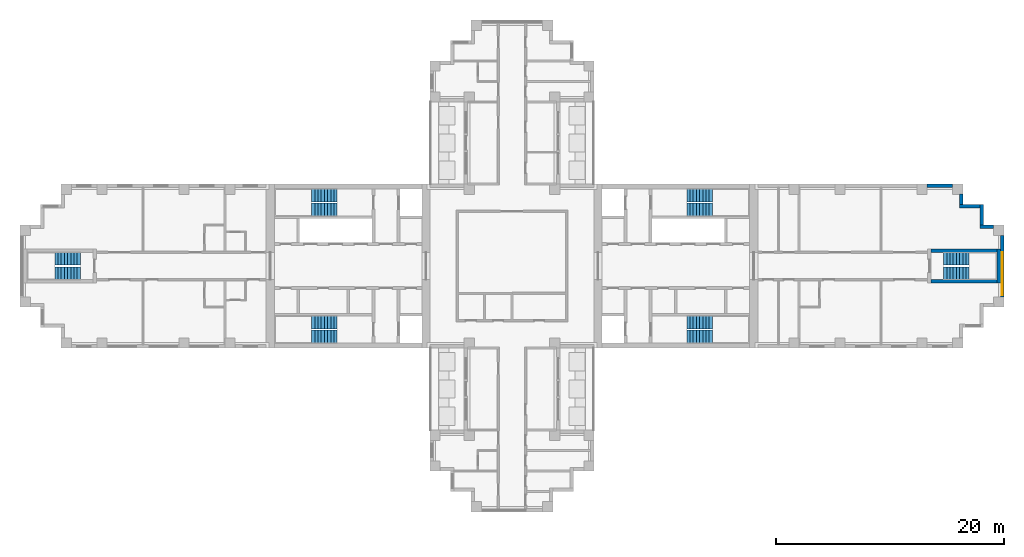
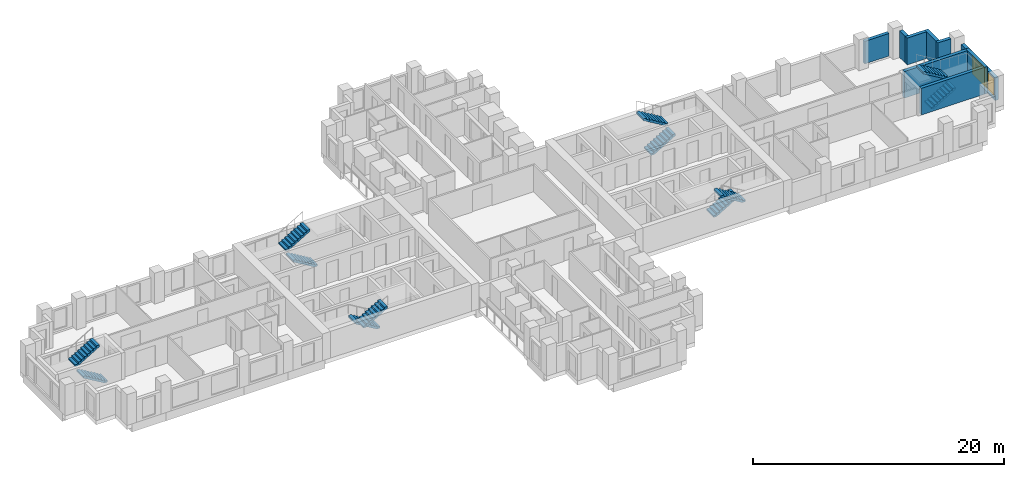
# One storey, part 9 of 11: 12 stair flights, 9 walls, 2 windows, 2 openings, 6 elements without a shape of their own.
"""IFC4 building model written with IfcOpenShell, lengths in metres."""

import ifcopenshell
import ifcopenshell.guid

model = None  # the IFC model being written
_history = None  # IfcOwnerHistory: only IFC2X3 demands one
_inside = {}  # id of a spatial element -> (the spatial element, [elements in it])
_under = {}  # id of a project, library or spatial element -> (it, [spatial elements below it])
_declared = {}  # id of a project -> (the project, [libraries it declares])
_typed = {}  # id of a type object -> (the type object, [elements of that type])
_made_of = {}  # id of a material, layer set ... -> (it, [elements and type objects made of it])


def new_model(schema):
    """Start an empty IFC model of exactly this schema.

    Asked for "IFC4X3", IfcOpenShell would pick the latest addendum, in which some entities
    have other attributes; the version numbers below select the first issue.
    IFC2X3 requires an IfcOwnerHistory on every rooted entity: one is made here for all.
    """
    global model, _history
    if schema == "IFC4X3":
        model = ifcopenshell.file(schema_version=(4, 3, 0, 0))
    else:
        model = ifcopenshell.file(schema=schema)
    _inside.clear()
    _under.clear()
    _declared.clear()
    _typed.clear()
    _made_of.clear()
    _history = None
    if model.schema == "IFC2X3":
        org = make("IfcOrganization", Name="unknown")
        user = make(
            "IfcPersonAndOrganization",
            ThePerson=make("IfcPerson", FamilyName="unknown"),
            TheOrganization=org,
        )
        app = make(
            "IfcApplication",
            ApplicationDeveloper=org,
            Version="unknown",
            ApplicationFullName="unknown",
            ApplicationIdentifier="unknown",
        )
        _history = make(
            "IfcOwnerHistory",
            OwningUser=user,
            OwningApplication=app,
            ChangeAction="ADDED",
            CreationDate=0,
        )
    return model


def make(cls, **values):
    """One entity of the class cls with the attributes given. An attribute that is None is left unset."""
    return model.create_entity(
        cls, **{name: value for name, value in values.items() if value is not None}
    )


def rooted(cls, **values):
    """An entity with a GlobalId (a new one), such as an element, a storey or a relation."""
    return make(cls, GlobalId=ifcopenshell.guid.new(), OwnerHistory=_history, **values)


def si_unit(unit_type, name, prefix=None):
    """IfcSIUnit, for example si_unit("LENGTHUNIT", "METRE", prefix="MILLI")."""
    return make("IfcSIUnit", UnitType=unit_type, Prefix=prefix, Name=name)


def assignment(units):
    """IfcUnitAssignment: the units of a project."""
    return None if units is None else make("IfcUnitAssignment", Units=units)


def point(xyz):
    """IfcCartesianPoint."""
    return None if xyz is None else make("IfcCartesianPoint", Coordinates=xyz)


def direction(xyz):
    """IfcDirection."""
    return None if xyz is None else make("IfcDirection", DirectionRatios=xyz)


def frame(location, z_axis=None, x_axis=None):
    """IfcAxis2Placement3D, a coordinate frame: its origin and axes. An axis left out is left unset."""
    return make(
        "IfcAxis2Placement3D",
        Location=point(location),
        Axis=direction(z_axis),
        RefDirection=direction(x_axis),
    )


def frame_2d(location, x_axis=None):
    """IfcAxis2Placement2D, a coordinate frame in the plane: its origin and x axis."""
    return make(
        "IfcAxis2Placement2D", Location=point(location), RefDirection=direction(x_axis)
    )


def origin():
    """The frame at (0, 0, 0) with its axes left unset."""
    return frame((0.0, 0.0, 0.0))


def place(relative_to, where):
    """IfcLocalPlacement: puts the frame where relative to a parent placement (None: the world)."""
    return make(
        "IfcLocalPlacement", PlacementRelTo=relative_to, RelativePlacement=where
    )


def context(
    kind, dimensions, precision=None, world=None, true_north=None, identifier=None
):
    """IfcGeometricRepresentationContext, for example the 3D "Model" context."""
    return make(
        "IfcGeometricRepresentationContext",
        ContextIdentifier=identifier,
        ContextType=kind,
        CoordinateSpaceDimension=dimensions,
        Precision=precision,
        WorldCoordinateSystem=world,
        TrueNorth=true_north,
    )


def subcontext(parent, identifier, kind, view, scale=None):
    """IfcGeometricRepresentationSubContext, for example "Body" below "Model"."""
    return make(
        "IfcGeometricRepresentationSubContext",
        ContextIdentifier=identifier,
        ContextType=kind,
        ParentContext=parent,
        TargetScale=scale,
        TargetView=view,
    )


def project(units=None, contexts=None):
    """IfcProject with its units and contexts."""
    return rooted(
        "IfcProject",
        Name="project",
        RepresentationContexts=contexts,
        UnitsInContext=assignment(units),
    )


def spatial(cls, under=None, at=None, **own):
    """A site, building, storey or space (cls), placed at a placement, below another one or the project."""
    s = rooted(cls, ObjectPlacement=at, **own)
    if under is not None:
        _under.setdefault(under.id(), (under, []))[1].append(s)
    return s


def polyline(points):
    """IfcPolyline through the points."""
    return make("IfcPolyline", Points=[point(p) for p in points])


def profile(cls, at=None, kind="AREA", **sizes):
    """A parametric profile (cls). Its sizes go by their IFC names, for example OverallWidth=200.0."""
    return make(cls, ProfileType=kind, Position=at, **sizes)


def rectangle(**sizes):
    """IfcRectangleProfileDef."""
    return profile("IfcRectangleProfileDef", **sizes)


def outline(outer, holes=None, kind="AREA"):
    """IfcArbitraryClosedProfileDef: a profile drawn as a closed curve; with holes, ...WithVoids."""
    if holes is None:
        return make("IfcArbitraryClosedProfileDef", ProfileType=kind, OuterCurve=outer)
    return make(
        "IfcArbitraryProfileDefWithVoids",
        ProfileType=kind,
        OuterCurve=outer,
        InnerCurves=holes,
    )


def extrude(swept, where, along, depth):
    """IfcExtrudedAreaSolid: the profile swept, set in the frame where, extruded along a direction by depth."""
    return make(
        "IfcExtrudedAreaSolid",
        SweptArea=swept,
        Position=where,
        ExtrudedDirection=direction(along),
        Depth=depth,
    )


def shape(context_of_items, identifier, shape_type, items):
    """IfcShapeRepresentation: the items that make up one representation, for example the "Body"."""
    return make(
        "IfcShapeRepresentation",
        ContextOfItems=context_of_items,
        RepresentationIdentifier=identifier,
        RepresentationType=shape_type,
        Items=items,
    )


def material(Name=None, Category=None):
    """IfcMaterial."""
    return make("IfcMaterial", Name=Name, Category=Category)


def layer(
    of_material, thickness, ventilated=None, Name=None, Category=None, Priority=None
):
    """IfcMaterialLayer: one layer of a wall or slab, of a material (None: an air gap)."""
    return make(
        "IfcMaterialLayer",
        Material=of_material,
        LayerThickness=thickness,
        IsVentilated=ventilated,
        Name=Name,
        Category=Category,
        Priority=Priority,
    )


def layer_set(layers, Name=None):
    """IfcMaterialLayerSet."""
    return make("IfcMaterialLayerSet", MaterialLayers=layers, LayerSetName=Name)


def made_of(thing, what):
    """Note that an element or type object is made of a material, layer set ...; save() writes the relation."""
    if what is not None:
        _made_of.setdefault(what.id(), (what, []))[1].append(thing)
    return thing


def type_object(cls, material=None, **own):
    """A type object (cls), such as IfcWallType, which elements share."""
    return made_of(rooted(cls, **own), material)


def element(
    cls,
    number,
    at=None,
    inside=None,
    cuts=None,
    type_object=None,
    material=None,
    context=None,
    identifier="Body",
    shape_type=None,
    held_by="IfcProductDefinitionShape",
    body=None,
    shapes=None,
    **own,
):
    """One element of the class cls, such as IfcWall. Its Tag is "e" and its number.

    at: its placement. inside: the storey or other place that contains it. cuts: it is an
    opening in that element (IfcRelVoidsElement). A single representation is given by context,
    identifier, shape_type and body (its items); several are given by shapes. held_by: the class
    of the entity that holds the representations. save() writes the other relations.
    """
    e = rooted(cls, Tag="e%d" % number, ObjectPlacement=at, **own)
    if body is not None:
        shapes = [shape(context, identifier, shape_type, body)]
    if shapes is not None:
        e.Representation = make(held_by, Representations=shapes)
    if inside is not None:
        _inside.setdefault(inside.id(), (inside, []))[1].append(e)
    if cuts is not None:
        rooted(
            "IfcRelVoidsElement", RelatingBuildingElement=cuts, RelatedOpeningElement=e
        )
    if type_object is not None:
        _typed.setdefault(type_object.id(), (type_object, []))[1].append(e)
    return made_of(e, material)


def fill(opening, filler):
    """IfcRelFillsElement: the door or window that sits in an opening."""
    return rooted(
        "IfcRelFillsElement",
        RelatingOpeningElement=opening,
        RelatedBuildingElement=filler,
    )


def aggregate(whole, parts):
    """IfcRelAggregates: a whole, such as a stair, and the parts it consists of."""
    return rooted("IfcRelAggregates", RelatingObject=whole, RelatedObjects=parts)


def save(model, path):
    """Write the relations noted so far, then the file.

    IfcRelAggregates (storeys below a building ...), IfcRelContainedInSpatialStructure (elements
    in a storey), IfcRelDefinesByType, IfcRelAssociatesMaterial and IfcRelDeclares: one each for
    every whole, place, type object, material and project.
    """
    for whole, parts in _under.values():
        aggregate(whole, parts)
    for where, things in _inside.values():
        rooted(
            "IfcRelContainedInSpatialStructure",
            RelatedElements=things,
            RelatingStructure=where,
        )
    for kind, things in _typed.values():
        rooted("IfcRelDefinesByType", RelatedObjects=things, RelatingType=kind)
    for what, things in _made_of.values():
        rooted("IfcRelAssociatesMaterial", RelatedObjects=things, RelatingMaterial=what)
    for by, libraries in _declared.values():
        rooted("IfcRelDeclares", RelatingContext=by, RelatedDefinitions=libraries)
    model.write(path)


model = new_model("IFC4")

# Units and contexts
model_context = context("Model", 3, precision=1e-05, world=origin(), true_north=direction((0.0, 1.0)))
body_context = subcontext(model_context, "Body", "Model", "MODEL_VIEW")
ifc_project = project(units=[si_unit("LENGTHUNIT", "METRE"), si_unit("AREAUNIT", "SQUARE_METRE"), si_unit("VOLUMEUNIT", "CUBIC_METRE"), si_unit("PLANEANGLEUNIT", "RADIAN"), si_unit("MASSUNIT", "GRAM", prefix="KILO")], contexts=[model_context])

# Site, building, storey
site_placement = place(None, origin())
site = spatial("IfcSite", under=ifc_project, at=site_placement, CompositionType="ELEMENT")
building_placement = place(site_placement, origin())
building = spatial("IfcBuilding", under=site, at=building_placement, Name="Fustian Cross Tower", CompositionType="ELEMENT")
storey_placement = place(building_placement, frame((0.0, 0.0, 126.300048828125)))
storey = spatial("IfcBuildingStorey", under=building, at=storey_placement, Name="L39", CompositionType="ELEMENT", Elevation=126.300048828125)

# Walls
ifc_material_1 = material(Name="Concrete C50/60", Category="concrete")
ifc_layer_1 = layer(ifc_material_1, 0.300048828125)
ifc_layer_set_1 = layer_set([ifc_layer_1], Name="Concrete C50/60")
wall_type_1 = type_object("IfcWallType", Name="STAIR ENCLOSURE WALL 300 C50/60", PredefinedType="SHEAR", material=ifc_layer_set_1)
wall_1_placement = place(storey_placement, frame((42.75, -1.5, 0.0), z_axis=(0.0, 0.0, 1.0), x_axis=(0.0, 1.0, 0.0)))
element("IfcWall", 1, at=wall_1_placement, inside=storey, type_object=wall_type_1, Name="Stair enclosure wall", PredefinedType="SHEAR", context=body_context, shape_type="SweptSolid", body=[
    extrude(rectangle(XDim=3.0, YDim=0.300048828125, at=frame_2d((1.5, 0.0))), origin(), (0.0, 0.0, 1.0), 2.599853515625),
])
for number, where, z_axis, x_axis, name in (
    (2, (36.800048828125, -1.35009765625, 0.0), (0.0, 0.0, 1.0), (1.0, 0.0, 0.0), "Stair enclosure wall"),
    (3, (36.800048828125, 1.35009765625, 0.0), (0.0, 0.0, 1.0), (1.0, 0.0, 0.0), "Stair enclosure wall"),
):
    element("IfcWall", number, at=place(storey_placement, frame(where, z_axis=z_axis, x_axis=x_axis)), inside=storey, type_object=wall_type_1, Name=name, PredefinedType="SHEAR", context=body_context, shape_type="SweptSolid", body=[
        extrude(rectangle(XDim=5.800048828125, YDim=0.300048828125, at=frame_2d((2.89990234375, 0.0))), origin(), (0.0, 0.0, 1.0), 2.599853515625),
    ])

# Wall, openings, windows
ifc_material_2 = material(Name="Dark aluminium cladding on insulated backing wall", Category="aluminium")
ifc_layer_2 = layer(ifc_material_2, 0.300048828125)
ifc_layer_set_2 = layer_set([ifc_layer_2], Name="Dark aluminium cladding on insulated backing wall")
wall_type_2 = type_object("IfcWallType", Name="XW1 EXTERNAL WALL 300", PredefinedType="SOLIDWALL", material=ifc_layer_set_2)
wall_2_placement = place(storey_placement, frame((43.050048828125, -2.699951171875, 0.0), z_axis=(0.0, 0.0, 1.0), x_axis=(0.0, 1.0, 0.0)))
wall_2 = element("IfcWall", 4, at=wall_2_placement, inside=storey, type_object=wall_type_2, Name="External wall", PredefinedType="SOLIDWALL", context=body_context, shape_type="SweptSolid", body=[
    extrude(rectangle(XDim=5.39990234375, YDim=0.300048828125, at=frame_2d((2.699951171875, 0.0))), origin(), (0.0, 0.0, 1.0), 2.199951171875),
])
opening_1_placement = place(wall_2_placement, frame((1.5, 0.0, 0.199951171875)))
opening_1 = element("IfcOpeningElement", 5, at=opening_1_placement, cuts=wall_2, Name="Opening WN1", PredefinedType="OPENING", context=body_context, shape_type="SweptSolid", body=[
    extrude(rectangle(XDim=2.39990234375, YDim=1.85009765625, at=frame_2d((1.199951171875, 0.925048828125))), frame((0.0, 0.159912109375, 0.0), z_axis=(0.0, -1.0, 0.0), x_axis=(1.0, 0.0, 0.0)), (0.0, 0.0, 1.0), 0.320068359375),
])
opening_2_placement = place(wall_2_placement, frame((0.14990234375, 0.0, 0.199951171875)))
opening_2 = element("IfcOpeningElement", 6, at=opening_2_placement, cuts=wall_2, Name="Opening WN3", PredefinedType="OPENING", context=body_context, shape_type="SweptSolid", body=[
    extrude(rectangle(XDim=1.199951171875, YDim=1.85009765625, at=frame_2d((0.60009765625, 0.925048828125))), frame((0.0, 0.159912109375, 0.0), z_axis=(0.0, -1.0, 0.0), x_axis=(1.0, 0.0, 0.0)), (0.0, 0.0, 1.0), 0.320068359375),
])
ifc_material_3 = material(Name="Dark anodised aluminium and double glazing", Category="aluminium")
window_type_1 = type_object("IfcWindowType", Name="WN1 WINDOW 2400X1850", PartitioningType="SINGLE_PANEL", PredefinedType="WINDOW", material=ifc_material_3)
window_1_placement = place(opening_1_placement, origin())
window_1 = element("IfcWindow", 7, at=window_1_placement, inside=storey, type_object=window_type_1, Name="Window", OverallHeight=1.85009765625, OverallWidth=2.39990234375, PartitioningType="SINGLE_PANEL", PredefinedType="WINDOW", context=body_context, shape_type="SweptSolid", body=[
    extrude(rectangle(XDim=2.39990234375, YDim=1.85009765625, at=frame_2d((1.199951171875, 0.925048828125))), frame((0.0, 0.030029296875, 0.0), z_axis=(0.0, -1.0, 0.0), x_axis=(1.0, 0.0, 0.0)), (0.0, 0.0, 1.0), 0.06005859375),
])
fill(opening_1, window_1)
ifc_material_4 = material(Name="Dark anodised aluminium and double glazing", Category="aluminium")
window_type_2 = type_object("IfcWindowType", Name="WN3 WINDOW 1200X1850", PartitioningType="SINGLE_PANEL", PredefinedType="WINDOW", material=ifc_material_4)
window_2_placement = place(opening_2_placement, origin())
window_2 = element("IfcWindow", 8, at=window_2_placement, inside=storey, type_object=window_type_2, Name="Window", OverallHeight=1.85009765625, OverallWidth=1.199951171875, PartitioningType="SINGLE_PANEL", PredefinedType="WINDOW", context=body_context, shape_type="SweptSolid", body=[
    extrude(rectangle(XDim=1.199951171875, YDim=1.85009765625, at=frame_2d((0.60009765625, 0.925048828125))), frame((0.0, 0.030029296875, 0.0), z_axis=(0.0, -1.0, 0.0), x_axis=(1.0, 0.0, 0.0)), (0.0, 0.0, 1.0), 0.06005859375),
])
fill(opening_2, window_2)

# Walls
wall_3_placement = place(storey_placement, frame((42.300048828125, 3.449951171875, 0.0), z_axis=(0.0, 0.0, 1.0), x_axis=(-1.0, 0.0, 0.0)))
element("IfcWall", 9, at=wall_3_placement, inside=storey, type_object=wall_type_2, Name="External wall", PredefinedType="SOLIDWALL", context=body_context, shape_type="SweptSolid", body=[
    extrude(rectangle(XDim=1.199951171875, YDim=0.300048828125, at=frame_2d((0.60009765625, 0.0))), origin(), (0.0, 0.0, 1.0), 2.599853515625),
])
wall_4_placement = place(storey_placement, frame((41.25, 3.60009765625, 0.0), z_axis=(0.0, 0.0, 1.0), x_axis=(0.0, 1.0, 0.0)))
element("IfcWall", 10, at=wall_4_placement, inside=storey, type_object=wall_type_2, Name="External wall", PredefinedType="SOLIDWALL", context=body_context, shape_type="SweptSolid", body=[
    extrude(rectangle(XDim=1.7998046875, YDim=0.300048828125, at=frame_2d((0.89990234375, 0.0))), origin(), (0.0, 0.0, 1.0), 2.599853515625),
])
wall_5_placement = place(storey_placement, frame((41.10009765625, 5.25, 0.0), z_axis=(0.0, 0.0, 1.0), x_axis=(-1.0, 0.0, 0.0)))
element("IfcWall", 11, at=wall_5_placement, inside=storey, type_object=wall_type_2, Name="External wall", PredefinedType="SOLIDWALL", context=body_context, shape_type="SweptSolid", body=[
    extrude(rectangle(XDim=1.800048828125, YDim=0.300048828125, at=frame_2d((0.89990234375, 0.0))), origin(), (0.0, 0.0, 1.0), 2.599853515625),
])
wall_6_placement = place(storey_placement, frame((39.449951171875, 5.39990234375, 0.0), z_axis=(0.0, 0.0, 1.0), x_axis=(0.0, 1.0, 0.0)))
element("IfcWall", 12, at=wall_6_placement, inside=storey, type_object=wall_type_2, Name="External wall", PredefinedType="SOLIDWALL", context=body_context, shape_type="SweptSolid", body=[
    extrude(rectangle(XDim=0.900146484375, YDim=0.300048828125, at=frame_2d((0.4501953125, 0.0))), origin(), (0.0, 0.0, 1.0), 2.599853515625),
])
wall_7_placement = place(storey_placement, frame((38.699951171875, 7.050048828125, 0.0), z_axis=(0.0, 0.0, 1.0), x_axis=(-1.0, 0.0, 0.0)))
element("IfcWall", 13, at=wall_7_placement, inside=storey, type_object=wall_type_2, Name="External wall", PredefinedType="SOLIDWALL", context=body_context, shape_type="SweptSolid", body=[
    extrude(rectangle(XDim=2.25, YDim=0.300048828125, at=frame_2d((1.125, 0.0))), origin(), (0.0, 0.0, 1.0), 2.199951171875),
])

# Stair, stair flights
ifc_material_5 = material(Name="Concrete C50/60", Category="concrete")
stair_type_1 = type_object("IfcStairType", Name="STAIR 1100 HALF TURN", PredefinedType="HALF_TURN_STAIR", material=ifc_material_5)
stair_1_placement = place(storey_placement, origin())
stair_1 = element("IfcStair", 14, at=stair_1_placement, inside=storey, type_object=stair_type_1, Name="Stair ST8", PredefinedType="HALF_TURN_STAIR")
ifc_material_6 = material(Name="Concrete C50/60", Category="concrete")
stair_flight_type_1 = type_object("IfcStairFlightType", Name="STAIR FLIGHT 1100", PredefinedType="STRAIGHT", material=ifc_material_6)
stair_flight_1_placement = place(storey_placement, frame((37.89990234375, -0.64990234375, 0.0), z_axis=(0.0, 0.0, 1.0), x_axis=(1.0, 0.0, 0.0)))
stair_flight_1 = element("IfcStairFlight", 15, at=stair_flight_1_placement, type_object=stair_flight_type_1, Name="ST8 flight 1", NumberOfRisers=9, NumberOfTreads=8, PredefinedType="STRAIGHT", RiserHeight=0.166666667, TreadLength=0.28, context=body_context, shape_type="SweptSolid", body=[
    extrude(outline(polyline([(0.0, 0.0), (0.0, 0.166748046875), (0.280029296875, 0.166748046875), (0.280029296875, 0.333251953125), (0.56005859375, 0.333251953125), (0.56005859375, 0.5), (0.840087890625, 0.5), (0.840087890625, 0.666748046875), (1.1201171875, 0.666748046875), (1.1201171875, 0.833251953125), (1.39990234375, 0.833251953125), (1.39990234375, 1.0), (1.679931640625, 1.0), (1.679931640625, 1.166748046875), (1.9599609375, 1.166748046875), (1.9599609375, 1.333251953125), (2.239990234375, 1.333251953125), (2.239990234375, 1.5), (2.239990234375, 1.158935546875), (0.29296875, 0.0), (0.0, 0.0)])), frame((0.0, 0.550048828125, 0.0), z_axis=(0.0, -1.0, 0.0), x_axis=(1.0, 0.0, 0.0)), (0.0, 0.0, 1.0), 1.10009765625),
])
stair_flight_2_placement = place(storey_placement, frame((40.139892578125, 0.64990234375, 1.5), z_axis=(0.0, 0.0, 1.0), x_axis=(-1.0, 0.0, 0.0)))
stair_flight_2 = element("IfcStairFlight", 16, at=stair_flight_2_placement, type_object=stair_flight_type_1, Name="ST8 flight 2", NumberOfRisers=9, NumberOfTreads=8, PredefinedType="STRAIGHT", RiserHeight=0.166666667, TreadLength=0.28, context=body_context, shape_type="SweptSolid", body=[
    extrude(outline(polyline([(0.0, 0.0), (0.0, 0.166748046875), (0.280029296875, 0.166748046875), (0.280029296875, 0.333251953125), (0.56005859375, 0.333251953125), (0.56005859375, 0.5), (0.840087890625, 0.5), (0.840087890625, 0.666748046875), (1.1201171875, 0.666748046875), (1.1201171875, 0.833251953125), (1.39990234375, 0.833251953125), (1.39990234375, 1.0), (1.679931640625, 1.0), (1.679931640625, 1.166748046875), (1.9599609375, 1.166748046875), (1.9599609375, 1.333251953125), (2.239990234375, 1.333251953125), (2.239990234375, 1.5), (2.239990234375, 1.158935546875), (0.29296875, 0.0), (0.0, 0.0)])), frame((0.0, 0.550048828125, 0.0), z_axis=(0.0, -1.0, 0.0), x_axis=(1.0, 0.0, 0.0)), (0.0, 0.0, 1.0), 1.10009765625),
])
aggregate(stair_1, [stair_flight_1, stair_flight_2])

stair_2_placement = place(storey_placement, origin())
stair_2 = element("IfcStair", 17, at=stair_2_placement, inside=storey, type_object=stair_type_1, Name="Stair ST9", PredefinedType="HALF_TURN_STAIR")
stair_flight_3_placement = place(storey_placement, frame((-37.89990234375, -0.64990234375, 0.0), z_axis=(0.0, 0.0, 1.0), x_axis=(-1.0, 0.0, 0.0)))
stair_flight_3 = element("IfcStairFlight", 18, at=stair_flight_3_placement, type_object=stair_flight_type_1, Name="ST9 flight 1", NumberOfRisers=9, NumberOfTreads=8, PredefinedType="STRAIGHT", RiserHeight=0.166666667, TreadLength=0.28, context=body_context, shape_type="SweptSolid", body=[
    extrude(outline(polyline([(0.0, 0.0), (0.0, 0.166748046875), (0.280029296875, 0.166748046875), (0.280029296875, 0.333251953125), (0.56005859375, 0.333251953125), (0.56005859375, 0.5), (0.840087890625, 0.5), (0.840087890625, 0.666748046875), (1.1201171875, 0.666748046875), (1.1201171875, 0.833251953125), (1.39990234375, 0.833251953125), (1.39990234375, 1.0), (1.679931640625, 1.0), (1.679931640625, 1.166748046875), (1.9599609375, 1.166748046875), (1.9599609375, 1.333251953125), (2.239990234375, 1.333251953125), (2.239990234375, 1.5), (2.239990234375, 1.158935546875), (0.29296875, 0.0), (0.0, 0.0)])), frame((0.0, 0.550048828125, 0.0), z_axis=(0.0, -1.0, 0.0), x_axis=(1.0, 0.0, 0.0)), (0.0, 0.0, 1.0), 1.10009765625),
])
stair_flight_4_placement = place(storey_placement, frame((-40.139892578125, 0.64990234375, 1.5), z_axis=(0.0, 0.0, 1.0), x_axis=(1.0, 0.0, 0.0)))
stair_flight_4 = element("IfcStairFlight", 19, at=stair_flight_4_placement, type_object=stair_flight_type_1, Name="ST9 flight 2", NumberOfRisers=9, NumberOfTreads=8, PredefinedType="STRAIGHT", RiserHeight=0.166666667, TreadLength=0.28, context=body_context, shape_type="SweptSolid", body=[
    extrude(outline(polyline([(0.0, 0.0), (0.0, 0.166748046875), (0.280029296875, 0.166748046875), (0.280029296875, 0.333251953125), (0.56005859375, 0.333251953125), (0.56005859375, 0.5), (0.840087890625, 0.5), (0.840087890625, 0.666748046875), (1.1201171875, 0.666748046875), (1.1201171875, 0.833251953125), (1.39990234375, 0.833251953125), (1.39990234375, 1.0), (1.679931640625, 1.0), (1.679931640625, 1.166748046875), (1.9599609375, 1.166748046875), (1.9599609375, 1.333251953125), (2.239990234375, 1.333251953125), (2.239990234375, 1.5), (2.239990234375, 1.158935546875), (0.29296875, 0.0), (0.0, 0.0)])), frame((0.0, 0.550048828125, 0.0), z_axis=(0.0, -1.0, 0.0), x_axis=(1.0, 0.0, 0.0)), (0.0, 0.0, 1.0), 1.10009765625),
])
aggregate(stair_2, [stair_flight_3, stair_flight_4])

ifc_material_7 = material(Name="Concrete C50/60", Category="concrete")
stair_type_2 = type_object("IfcStairType", Name="STAIR 1150 HALF TURN", PredefinedType="HALF_TURN_STAIR", material=ifc_material_7)
stair_3_placement = place(storey_placement, origin())
stair_3 = element("IfcStair", 20, at=stair_3_placement, inside=storey, type_object=stair_type_2, Name="Stair ST1", PredefinedType="HALF_TURN_STAIR")
ifc_material_8 = material(Name="Concrete C50/60", Category="concrete")
stair_flight_type_2 = type_object("IfcStairFlightType", Name="STAIR FLIGHT 1150", PredefinedType="STRAIGHT", material=ifc_material_8)
stair_flight_5_placement = place(storey_placement, frame((15.35009765625, 4.97509765625, 0.0), z_axis=(0.0, 0.0, 1.0), x_axis=(1.0, 0.0, 0.0)))
stair_flight_5 = element("IfcStairFlight", 21, at=stair_flight_5_placement, type_object=stair_flight_type_2, Name="ST1 flight 1", NumberOfRisers=9, NumberOfTreads=8, PredefinedType="STRAIGHT", RiserHeight=0.166666667, TreadLength=0.28, context=body_context, shape_type="SweptSolid", body=[
    extrude(outline(polyline([(0.0, 0.0), (0.0, 0.166748046875), (0.280029296875, 0.166748046875), (0.280029296875, 0.333251953125), (0.56005859375, 0.333251953125), (0.56005859375, 0.5), (0.840087890625, 0.5), (0.840087890625, 0.666748046875), (1.1201171875, 0.666748046875), (1.1201171875, 0.833251953125), (1.39990234375, 0.833251953125), (1.39990234375, 1.0), (1.679931640625, 1.0), (1.679931640625, 1.166748046875), (1.9599609375, 1.166748046875), (1.9599609375, 1.333251953125), (2.239990234375, 1.333251953125), (2.239990234375, 1.5), (2.239990234375, 1.158935546875), (0.29296875, 0.0), (0.0, 0.0)])), frame((0.0, 0.574951171875, 0.0), z_axis=(0.0, -1.0, 0.0), x_axis=(1.0, 0.0, 0.0)), (0.0, 0.0, 1.0), 1.14990234375),
])
stair_flight_6_placement = place(storey_placement, frame((17.590087890625, 6.175048828125, 1.5), z_axis=(0.0, 0.0, 1.0), x_axis=(-1.0, 0.0, 0.0)))
stair_flight_6 = element("IfcStairFlight", 22, at=stair_flight_6_placement, type_object=stair_flight_type_2, Name="ST1 flight 2", NumberOfRisers=9, NumberOfTreads=8, PredefinedType="STRAIGHT", RiserHeight=0.166666667, TreadLength=0.28, context=body_context, shape_type="SweptSolid", body=[
    extrude(outline(polyline([(0.0, 0.0), (0.0, 0.166748046875), (0.280029296875, 0.166748046875), (0.280029296875, 0.333251953125), (0.56005859375, 0.333251953125), (0.56005859375, 0.5), (0.840087890625, 0.5), (0.840087890625, 0.666748046875), (1.1201171875, 0.666748046875), (1.1201171875, 0.833251953125), (1.39990234375, 0.833251953125), (1.39990234375, 1.0), (1.679931640625, 1.0), (1.679931640625, 1.166748046875), (1.9599609375, 1.166748046875), (1.9599609375, 1.333251953125), (2.239990234375, 1.333251953125), (2.239990234375, 1.5), (2.239990234375, 1.158935546875), (0.29296875, 0.0), (0.0, 0.0)])), frame((0.0, 0.574951171875, 0.0), z_axis=(0.0, -1.0, 0.0), x_axis=(1.0, 0.0, 0.0)), (0.0, 0.0, 1.0), 1.14990234375),
])
aggregate(stair_3, [stair_flight_5, stair_flight_6])

stair_4_placement = place(storey_placement, origin())
stair_4 = element("IfcStair", 23, at=stair_4_placement, inside=storey, type_object=stair_type_2, Name="Stair ST2", PredefinedType="HALF_TURN_STAIR")
stair_flight_7_placement = place(storey_placement, frame((15.35009765625, -4.97509765625, 0.0), z_axis=(0.0, 0.0, 1.0), x_axis=(1.0, 0.0, 0.0)))
stair_flight_7 = element("IfcStairFlight", 24, at=stair_flight_7_placement, type_object=stair_flight_type_2, Name="ST2 flight 1", NumberOfRisers=9, NumberOfTreads=8, PredefinedType="STRAIGHT", RiserHeight=0.166666667, TreadLength=0.28, context=body_context, shape_type="SweptSolid", body=[
    extrude(outline(polyline([(0.0, 0.0), (0.0, 0.166748046875), (0.280029296875, 0.166748046875), (0.280029296875, 0.333251953125), (0.56005859375, 0.333251953125), (0.56005859375, 0.5), (0.840087890625, 0.5), (0.840087890625, 0.666748046875), (1.1201171875, 0.666748046875), (1.1201171875, 0.833251953125), (1.39990234375, 0.833251953125), (1.39990234375, 1.0), (1.679931640625, 1.0), (1.679931640625, 1.166748046875), (1.9599609375, 1.166748046875), (1.9599609375, 1.333251953125), (2.239990234375, 1.333251953125), (2.239990234375, 1.5), (2.239990234375, 1.158935546875), (0.29296875, 0.0), (0.0, 0.0)])), frame((0.0, 0.574951171875, 0.0), z_axis=(0.0, -1.0, 0.0), x_axis=(1.0, 0.0, 0.0)), (0.0, 0.0, 1.0), 1.14990234375),
])
stair_flight_8_placement = place(storey_placement, frame((17.590087890625, -6.175048828125, 1.5), z_axis=(0.0, 0.0, 1.0), x_axis=(-1.0, 0.0, 0.0)))
stair_flight_8 = element("IfcStairFlight", 25, at=stair_flight_8_placement, type_object=stair_flight_type_2, Name="ST2 flight 2", NumberOfRisers=9, NumberOfTreads=8, PredefinedType="STRAIGHT", RiserHeight=0.166666667, TreadLength=0.28, context=body_context, shape_type="SweptSolid", body=[
    extrude(outline(polyline([(0.0, 0.0), (0.0, 0.166748046875), (0.280029296875, 0.166748046875), (0.280029296875, 0.333251953125), (0.56005859375, 0.333251953125), (0.56005859375, 0.5), (0.840087890625, 0.5), (0.840087890625, 0.666748046875), (1.1201171875, 0.666748046875), (1.1201171875, 0.833251953125), (1.39990234375, 0.833251953125), (1.39990234375, 1.0), (1.679931640625, 1.0), (1.679931640625, 1.166748046875), (1.9599609375, 1.166748046875), (1.9599609375, 1.333251953125), (2.239990234375, 1.333251953125), (2.239990234375, 1.5), (2.239990234375, 1.158935546875), (0.29296875, 0.0), (0.0, 0.0)])), frame((0.0, 0.574951171875, 0.0), z_axis=(0.0, -1.0, 0.0), x_axis=(1.0, 0.0, 0.0)), (0.0, 0.0, 1.0), 1.14990234375),
])
aggregate(stair_4, [stair_flight_7, stair_flight_8])

stair_5_placement = place(storey_placement, origin())
stair_5 = element("IfcStair", 26, at=stair_5_placement, inside=storey, type_object=stair_type_2, Name="Stair ST3", PredefinedType="HALF_TURN_STAIR")
stair_flight_9_placement = place(storey_placement, frame((-15.35009765625, 4.97509765625, 0.0), z_axis=(0.0, 0.0, 1.0), x_axis=(-1.0, 0.0, 0.0)))
stair_flight_9 = element("IfcStairFlight", 27, at=stair_flight_9_placement, type_object=stair_flight_type_2, Name="ST3 flight 1", NumberOfRisers=9, NumberOfTreads=8, PredefinedType="STRAIGHT", RiserHeight=0.166666667, TreadLength=0.28, context=body_context, shape_type="SweptSolid", body=[
    extrude(outline(polyline([(0.0, 0.0), (0.0, 0.166748046875), (0.280029296875, 0.166748046875), (0.280029296875, 0.333251953125), (0.56005859375, 0.333251953125), (0.56005859375, 0.5), (0.840087890625, 0.5), (0.840087890625, 0.666748046875), (1.1201171875, 0.666748046875), (1.1201171875, 0.833251953125), (1.39990234375, 0.833251953125), (1.39990234375, 1.0), (1.679931640625, 1.0), (1.679931640625, 1.166748046875), (1.9599609375, 1.166748046875), (1.9599609375, 1.333251953125), (2.239990234375, 1.333251953125), (2.239990234375, 1.5), (2.239990234375, 1.158935546875), (0.29296875, 0.0), (0.0, 0.0)])), frame((0.0, 0.574951171875, 0.0), z_axis=(0.0, -1.0, 0.0), x_axis=(1.0, 0.0, 0.0)), (0.0, 0.0, 1.0), 1.14990234375),
])
stair_flight_10_placement = place(storey_placement, frame((-17.590087890625, 6.175048828125, 1.5), z_axis=(0.0, 0.0, 1.0), x_axis=(1.0, 0.0, 0.0)))
stair_flight_10 = element("IfcStairFlight", 28, at=stair_flight_10_placement, type_object=stair_flight_type_2, Name="ST3 flight 2", NumberOfRisers=9, NumberOfTreads=8, PredefinedType="STRAIGHT", RiserHeight=0.166666667, TreadLength=0.28, context=body_context, shape_type="SweptSolid", body=[
    extrude(outline(polyline([(0.0, 0.0), (0.0, 0.166748046875), (0.280029296875, 0.166748046875), (0.280029296875, 0.333251953125), (0.56005859375, 0.333251953125), (0.56005859375, 0.5), (0.840087890625, 0.5), (0.840087890625, 0.666748046875), (1.1201171875, 0.666748046875), (1.1201171875, 0.833251953125), (1.39990234375, 0.833251953125), (1.39990234375, 1.0), (1.679931640625, 1.0), (1.679931640625, 1.166748046875), (1.9599609375, 1.166748046875), (1.9599609375, 1.333251953125), (2.239990234375, 1.333251953125), (2.239990234375, 1.5), (2.239990234375, 1.158935546875), (0.29296875, 0.0), (0.0, 0.0)])), frame((0.0, 0.574951171875, 0.0), z_axis=(0.0, -1.0, 0.0), x_axis=(1.0, 0.0, 0.0)), (0.0, 0.0, 1.0), 1.14990234375),
])
aggregate(stair_5, [stair_flight_9, stair_flight_10])

stair_6_placement = place(storey_placement, origin())
stair_6 = element("IfcStair", 29, at=stair_6_placement, inside=storey, type_object=stair_type_2, Name="Stair ST4", PredefinedType="HALF_TURN_STAIR")
stair_flight_11_placement = place(storey_placement, frame((-15.35009765625, -4.97509765625, 0.0), z_axis=(0.0, 0.0, 1.0), x_axis=(-1.0, 0.0, 0.0)))
stair_flight_11 = element("IfcStairFlight", 30, at=stair_flight_11_placement, type_object=stair_flight_type_2, Name="ST4 flight 1", NumberOfRisers=9, NumberOfTreads=8, PredefinedType="STRAIGHT", RiserHeight=0.166666667, TreadLength=0.28, context=body_context, shape_type="SweptSolid", body=[
    extrude(outline(polyline([(0.0, 0.0), (0.0, 0.166748046875), (0.280029296875, 0.166748046875), (0.280029296875, 0.333251953125), (0.56005859375, 0.333251953125), (0.56005859375, 0.5), (0.840087890625, 0.5), (0.840087890625, 0.666748046875), (1.1201171875, 0.666748046875), (1.1201171875, 0.833251953125), (1.39990234375, 0.833251953125), (1.39990234375, 1.0), (1.679931640625, 1.0), (1.679931640625, 1.166748046875), (1.9599609375, 1.166748046875), (1.9599609375, 1.333251953125), (2.239990234375, 1.333251953125), (2.239990234375, 1.5), (2.239990234375, 1.158935546875), (0.29296875, 0.0), (0.0, 0.0)])), frame((0.0, 0.574951171875, 0.0), z_axis=(0.0, -1.0, 0.0), x_axis=(1.0, 0.0, 0.0)), (0.0, 0.0, 1.0), 1.14990234375),
])
stair_flight_12_placement = place(storey_placement, frame((-17.590087890625, -6.175048828125, 1.5), z_axis=(0.0, 0.0, 1.0), x_axis=(1.0, 0.0, 0.0)))
stair_flight_12 = element("IfcStairFlight", 31, at=stair_flight_12_placement, type_object=stair_flight_type_2, Name="ST4 flight 2", NumberOfRisers=9, NumberOfTreads=8, PredefinedType="STRAIGHT", RiserHeight=0.166666667, TreadLength=0.28, context=body_context, shape_type="SweptSolid", body=[
    extrude(outline(polyline([(0.0, 0.0), (0.0, 0.166748046875), (0.280029296875, 0.166748046875), (0.280029296875, 0.333251953125), (0.56005859375, 0.333251953125), (0.56005859375, 0.5), (0.840087890625, 0.5), (0.840087890625, 0.666748046875), (1.1201171875, 0.666748046875), (1.1201171875, 0.833251953125), (1.39990234375, 0.833251953125), (1.39990234375, 1.0), (1.679931640625, 1.0), (1.679931640625, 1.166748046875), (1.9599609375, 1.166748046875), (1.9599609375, 1.333251953125), (2.239990234375, 1.333251953125), (2.239990234375, 1.5), (2.239990234375, 1.158935546875), (0.29296875, 0.0), (0.0, 0.0)])), frame((0.0, 0.574951171875, 0.0), z_axis=(0.0, -1.0, 0.0), x_axis=(1.0, 0.0, 0.0)), (0.0, 0.0, 1.0), 1.14990234375),
])
aggregate(stair_6, [stair_flight_11, stair_flight_12])

save(model, "model.ifc")
